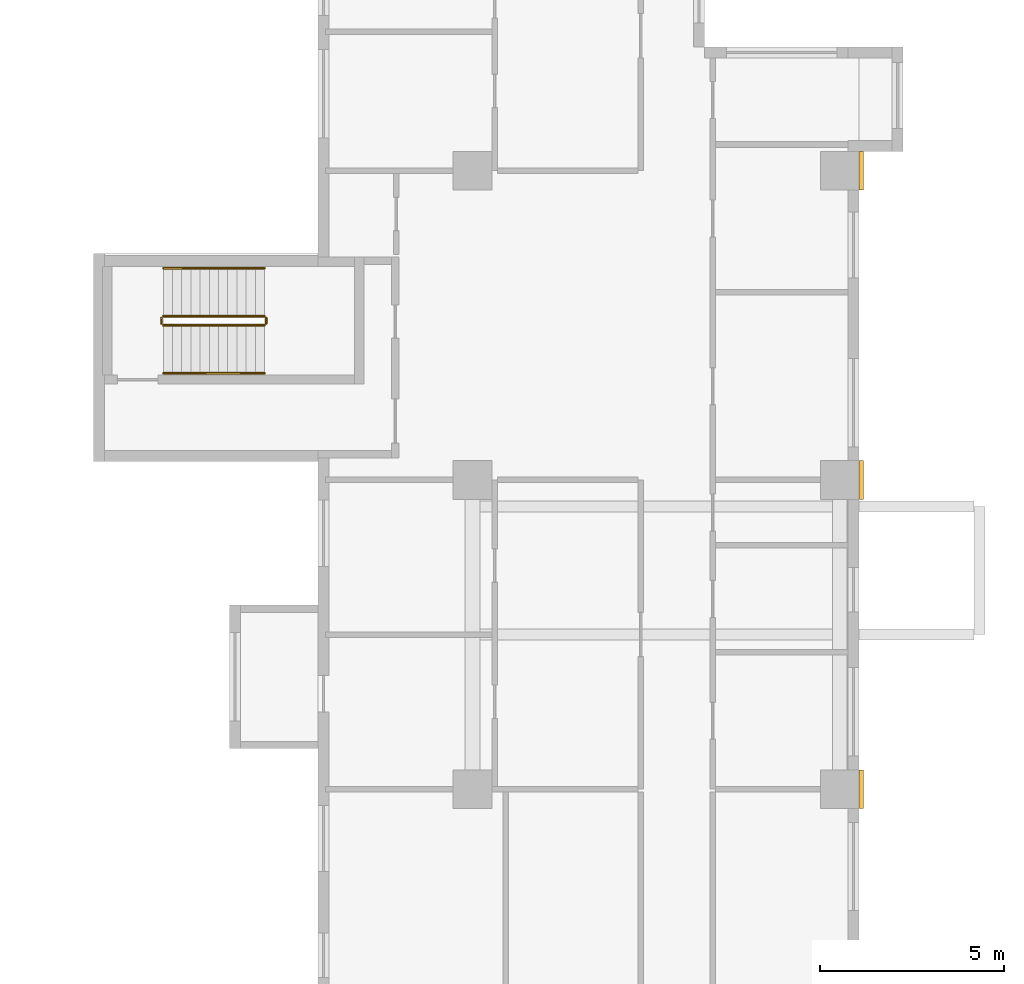
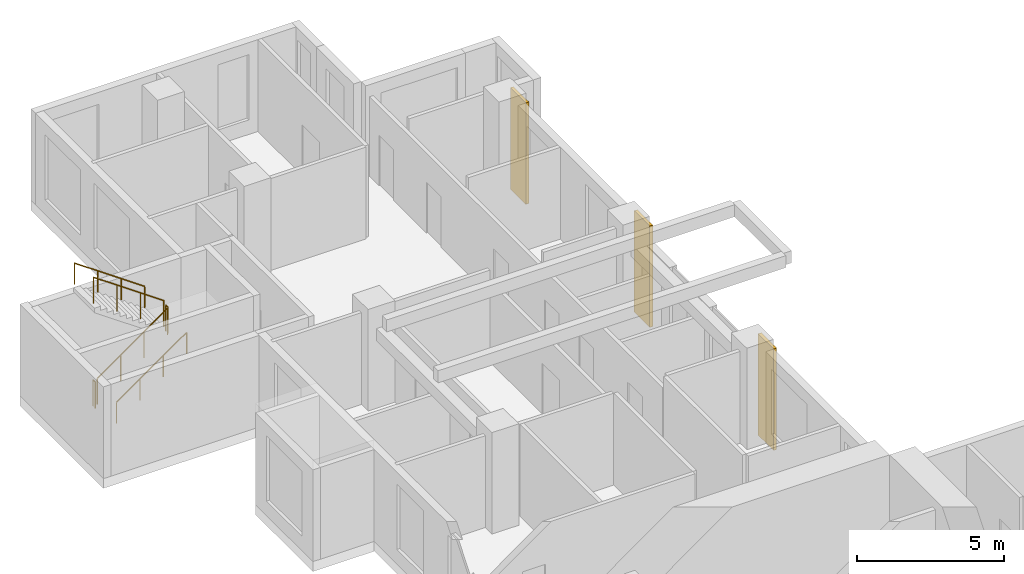
# One storey, part 13 of 14: 6 railings, 3 coverings.
"""IFC4 building model written with IfcOpenShell, lengths in metres."""

from ifc_helpers import new_model, si_unit, direction, frame, origin, origin_2d, place, context, subcontext, project, spatial, rectangle, circle, extrude, source, transform, mapped, material, type_object, element, save


model = new_model("IFC4")

# Units and contexts
model_context = context("Model", 3, precision=1e-05, world=origin(), true_north=direction((0.0, 1.0)))
body_context = subcontext(model_context, "Body", "Model", "MODEL_VIEW")
ifc_project = project(units=[si_unit("LENGTHUNIT", "METRE"), si_unit("AREAUNIT", "SQUARE_METRE"), si_unit("VOLUMEUNIT", "CUBIC_METRE"), si_unit("PLANEANGLEUNIT", "RADIAN"), si_unit("MASSUNIT", "GRAM", prefix="KILO")], contexts=[model_context])

# Site, building, storey
site_placement = place(None, origin())
site = spatial("IfcSite", under=ifc_project, at=site_placement, CompositionType="ELEMENT")
building_placement = place(site_placement, origin())
building = spatial("IfcBuilding", under=site, at=building_placement, Name="Aurelian Terraces", CompositionType="ELEMENT")
storey_placement = place(building_placement, frame((0.0, 0.0, 141.3)))
storey = spatial("IfcBuildingStorey", under=building, at=storey_placement, Name="L31", CompositionType="ELEMENT", Elevation=141.3)

# Coverings
ifc_material_1 = material(Name="Terracotta rainscreen cladding relief", Category="masonry")
covering_type = type_object("IfcCoveringType", Name="BAGUETTE-TC", PredefinedType="CLADDING", material=ifc_material_1)
shared_shape_1 = source(origin(), body_context, "Body", "SweptSolid", [
    extrude(rectangle(XDim=0.12, YDim=1.05, at=origin_2d()), origin(), (0.0, 0.0, 1.0), 4.2),
])
for number, where, z_axis, x_axis, name in (
    (1, (21.06, 29.4, -0.4), (0.0, 0.0, 1.0), (1.0, 0.0, 0.0), "BAGUETTE pier L31 10"),
    (2, (21.06, 37.8, -0.4), (0.0, 0.0, 1.0), (1.0, 0.0, 0.0), "BAGUETTE pier L31 11"),
    (3, (21.06, 46.2, -0.4), (0.0, 0.0, 1.0), (1.0, 0.0, 0.0), "BAGUETTE pier L31 12"),
):
    element("IfcCovering", number, at=place(storey_placement, frame(where, z_axis=z_axis, x_axis=x_axis)), inside=storey, type_object=covering_type, Name=name, PredefinedType="CLADDING", context=body_context, shape_type="MappedRepresentation", body=[
        mapped(shared_shape_1, transform((0.0, 0.0, 0.0), scale=1.0)),
    ])

# Railings
ifc_material_2 = material(Name="Stainless steel", Category="steel")
railing_type_1 = type_object("IfcRailingType", Name="Stair guard 1100", PredefinedType="GUARDRAIL", material=ifc_material_2)
shared_shape_2 = source(origin(), body_context, "Body", "SweptSolid", [
    extrude(circle(Radius=0.024, at=origin_2d()), frame((0.0, 0.0, 1.076), z_axis=(0.0, 1.0, 0.0), x_axis=(-1.0, 0.0, 0.0)), (0.0, 0.0, 1.0), 0.15),
    extrude(circle(Radius=0.021, at=origin_2d()), origin(), (0.0, 0.0, 1.0), 1.052),
    extrude(circle(Radius=0.021, at=origin_2d()), frame((0.0, 0.15, 0.0)), (0.0, 0.0, 1.0), 1.052),
])
for number, where, name in (
    (4, (4.9, 42.05, 2.1), "L31 S3 stair guard 2"),
    (5, (2.05, 42.05, 0.0), "L31 S3 stair guard 4"),
):
    element("IfcRailing", number, at=place(storey_placement, frame(where)), inside=storey, type_object=railing_type_1, Name=name, PredefinedType="GUARDRAIL", context=body_context, shape_type="MappedRepresentation", body=[
        mapped(shared_shape_2, transform((0.0, 0.0, 0.0), scale=1.0)),
    ])
shared_shape_3 = source(origin(), body_context, "Body", "SweptSolid", [
    extrude(circle(Radius=0.024, at=origin_2d()), frame((0.0, 0.0, 1.076), z_axis=(0.819231920519, 0.0, 0.573462344363), x_axis=(0.0, 1.0, 0.0)), (0.0, 0.0, 1.0), 3.3568),
    extrude(circle(Radius=0.021, at=origin_2d()), origin(), (0.0, 0.0, 1.0), 1.052),
    extrude(circle(Radius=0.021, at=origin_2d()), frame((0.9167, 0.0, 0.6417)), (0.0, 0.0, 1.0), 1.052),
    extrude(circle(Radius=0.021, at=origin_2d()), frame((1.8333, 0.0, 1.2833)), (0.0, 0.0, 1.0), 1.052),
    extrude(circle(Radius=0.021, at=origin_2d()), frame((2.75, 0.0, 1.925)), (0.0, 0.0, 1.0), 1.052),
])
railing_1_placement = place(storey_placement, frame((2.1, 42.0, 0.175)))
element("IfcRailing", 6, at=railing_1_placement, inside=storey, type_object=railing_type_1, Name="L31 S3 stair guard 1", PredefinedType="GUARDRAIL", context=body_context, shape_type="MappedRepresentation", body=[
    mapped(shared_shape_3, transform((0.0, 0.0, 0.0), scale=1.0)),
])
shared_shape_4 = source(origin(), body_context, "Body", "SweptSolid", [
    extrude(circle(Radius=0.024, at=origin_2d()), frame((0.0, 0.0, 1.076), z_axis=(-0.819231920519, 0.0, 0.573462344363), x_axis=(0.0, -1.0, 0.0)), (0.0, 0.0, 1.0), 3.3568),
    extrude(circle(Radius=0.021, at=origin_2d()), origin(), (0.0, 0.0, 1.0), 1.052),
    extrude(circle(Radius=0.021, at=origin_2d()), frame((-0.9167, 0.0, 0.6417)), (0.0, 0.0, 1.0), 1.052),
    extrude(circle(Radius=0.021, at=origin_2d()), frame((-1.8333, 0.0, 1.2833)), (0.0, 0.0, 1.0), 1.052),
    extrude(circle(Radius=0.021, at=origin_2d()), frame((-2.75, 0.0, 1.925)), (0.0, 0.0, 1.0), 1.052),
])
railing_2_placement = place(storey_placement, frame((4.85, 42.25, 2.275)))
element("IfcRailing", 7, at=railing_2_placement, inside=storey, type_object=railing_type_1, Name="L31 S3 stair guard 3", PredefinedType="GUARDRAIL", context=body_context, shape_type="MappedRepresentation", body=[
    mapped(shared_shape_4, transform((0.0, 0.0, 0.0), scale=1.0)),
])
railing_type_2 = type_object("IfcRailingType", Name="Stair handrail", PredefinedType="HANDRAIL", material=ifc_material_2)
shared_shape_5 = source(origin(), body_context, "Body", "SweptSolid", [
    extrude(circle(Radius=0.024, at=origin_2d()), frame((0.0, 0.0, 0.876), z_axis=(0.819231920519, 0.0, 0.573462344363), x_axis=(0.0, 1.0, 0.0)), (0.0, 0.0, 1.0), 3.3568),
    extrude(circle(Radius=0.021, at=origin_2d()), origin(), (0.0, 0.0, 1.0), 0.852),
    extrude(circle(Radius=0.021, at=origin_2d()), frame((0.9167, 0.0, 0.6417)), (0.0, 0.0, 1.0), 0.852),
    extrude(circle(Radius=0.021, at=origin_2d()), frame((1.8333, 0.0, 1.2833)), (0.0, 0.0, 1.0), 0.852),
    extrude(circle(Radius=0.021, at=origin_2d()), frame((2.75, 0.0, 1.925)), (0.0, 0.0, 1.0), 0.852),
])
railing_3_placement = place(storey_placement, frame((2.1, 40.7, 0.175)))
element("IfcRailing", 8, at=railing_3_placement, inside=storey, type_object=railing_type_2, Name="L31 S3 stair handrail 1", PredefinedType="HANDRAIL", context=body_context, shape_type="MappedRepresentation", body=[
    mapped(shared_shape_5, transform((0.0, 0.0, 0.0), scale=1.0)),
])
shared_shape_6 = source(origin(), body_context, "Body", "SweptSolid", [
    extrude(circle(Radius=0.024, at=origin_2d()), frame((0.0, 0.0, 0.876), z_axis=(-0.819231920519, 0.0, 0.573462344363), x_axis=(0.0, -1.0, 0.0)), (0.0, 0.0, 1.0), 3.3568),
    extrude(circle(Radius=0.021, at=origin_2d()), origin(), (0.0, 0.0, 1.0), 0.852),
    extrude(circle(Radius=0.021, at=origin_2d()), frame((-0.9167, 0.0, 0.6417)), (0.0, 0.0, 1.0), 0.852),
    extrude(circle(Radius=0.021, at=origin_2d()), frame((-1.8333, 0.0, 1.2833)), (0.0, 0.0, 1.0), 0.852),
    extrude(circle(Radius=0.021, at=origin_2d()), frame((-2.75, 0.0, 1.925)), (0.0, 0.0, 1.0), 0.852),
])
railing_4_placement = place(storey_placement, frame((4.85, 43.55, 2.275)))
element("IfcRailing", 9, at=railing_4_placement, inside=storey, type_object=railing_type_2, Name="L31 S3 stair handrail 2", PredefinedType="HANDRAIL", context=body_context, shape_type="MappedRepresentation", body=[
    mapped(shared_shape_6, transform((0.0, 0.0, 0.0), scale=1.0)),
])

save(model, "model.ifc")
